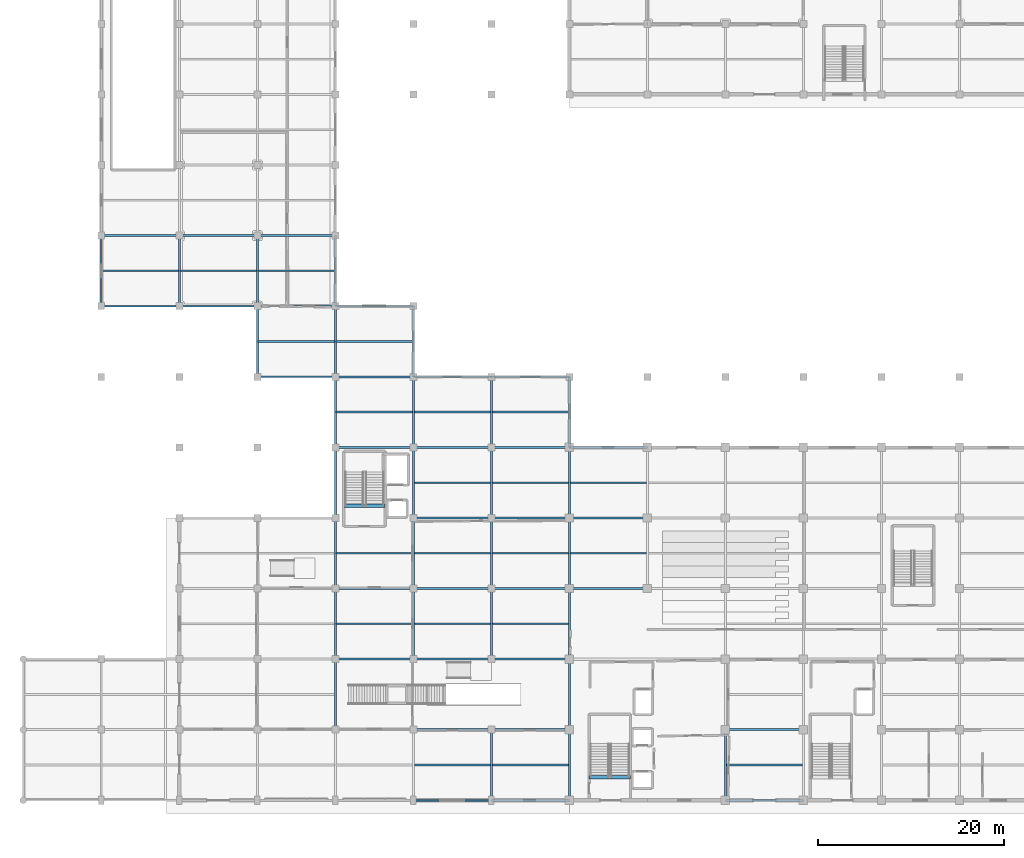
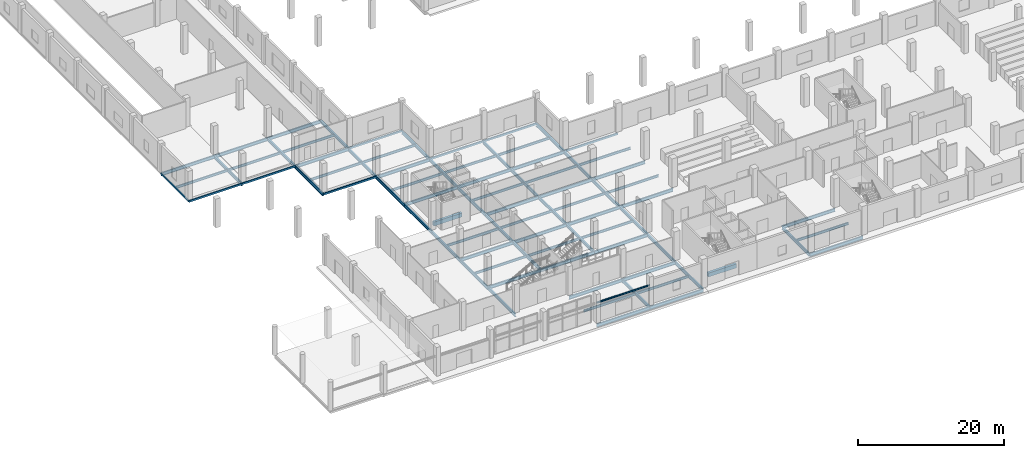
# One storey, part 6 of 36: 83 beams.
"""IFC4 building model written with IfcOpenShell, lengths in metres."""

from ifc_helpers import new_model, si_unit, direction, frame, origin, origin_2d, place, context, subcontext, project, spatial, rectangle, hollow_rectangle, i_section, extrude, material, material_profile, profile_set, type_object, element, save


model = new_model("IFC4")

# Units and contexts
model_context = context("Model", 3, precision=1e-05, world=origin(), true_north=direction((0.0, 1.0)))
body_context = subcontext(model_context, "Body", "Model", "MODEL_VIEW")
ifc_project = project(units=[si_unit("LENGTHUNIT", "METRE"), si_unit("AREAUNIT", "SQUARE_METRE"), si_unit("VOLUMEUNIT", "CUBIC_METRE"), si_unit("PLANEANGLEUNIT", "RADIAN"), si_unit("MASSUNIT", "GRAM", prefix="KILO")], contexts=[model_context])

# Site, building, storey
site_placement = place(None, origin())
site = spatial("IfcSite", under=ifc_project, at=site_placement, CompositionType="ELEMENT")
building_placement = place(site_placement, origin())
building = spatial("IfcBuilding", under=site, at=building_placement, Name="Zuvorla Pavilion Media Centre", CompositionType="ELEMENT")
storey_placement = place(building_placement, origin())
storey = spatial("IfcBuildingStorey", under=building, at=storey_placement, Name="L00", CompositionType="ELEMENT", Elevation=0.0)

# Beams
ifc_material_1 = material(Name="Concrete C40/50", Category="concrete")
ifc_material_profile_1 = material_profile(ifc_material_1, rectangle(XDim=0.39990234375, YDim=0.64990234375, at=origin_2d()), Name="RC 400x650")
ifc_profile_set_1 = profile_set([ifc_material_profile_1], Name="Concrete C40/50")
beam_type_1 = type_object("IfcBeamType", Name="BM-RC-650", PredefinedType="BEAM", material=ifc_profile_set_1)
beam_1_placement = place(storey_placement, frame((68.929931640625, 8.469970703125, -0.323974609375), z_axis=(1.0, 0.0, 0.0), x_axis=(0.0, 1.0, 0.0)))
element("IfcBeam", 1, at=beam_1_placement, inside=storey, type_object=beam_type_1, Name="L00 ST-01 landing trimmer beam", PredefinedType="BEAM", context=body_context, shape_type="SweptSolid", body=[
    extrude(rectangle(XDim=0.39990234375, YDim=0.64990234375, at=origin_2d()), origin(), (0.0, 0.0, 1.0), 4.440185546875),
])
beam_2_placement = place(storey_placement, frame((42.530029296875, 37.719970703125, -0.323974609375), z_axis=(1.0, 0.0, 0.0), x_axis=(0.0, 1.0, 0.0)))
element("IfcBeam", 2, at=beam_2_placement, inside=storey, type_object=beam_type_1, Name="L00 ST-03 landing trimmer beam", PredefinedType="BEAM", context=body_context, shape_type="SweptSolid", body=[
    extrude(rectangle(XDim=0.39990234375, YDim=0.64990234375, at=origin_2d()), origin(), (0.0, 0.0, 1.0), 4.43994140625),
])
ifc_material_2 = material(Name="Steel S355", Category="steel")
ifc_material_profile_2 = material_profile(ifc_material_2, hollow_rectangle(XDim=0.14990234375, YDim=0.25, WallThickness=0.010009765625, at=origin_2d()), Name="RHS 250x150x10")
ifc_profile_set_2 = profile_set([ifc_material_profile_2], Name="Steel S355")
beam_type_2 = type_object("IfcBeamType", Name="BM-SP-RHS250", PredefinedType="SPANDREL", material=ifc_profile_set_2)
beam_3_placement = place(storey_placement, frame((16.39990234375, 59.199951171875, -0.452880859375), z_axis=(0.0, 1.0, 0.0), x_axis=(-1.0, 0.0, 0.0)))
element("IfcBeam", 3, at=beam_3_placement, inside=storey, type_object=beam_type_2, Name="L00 spandrel SP02 163", PredefinedType="SPANDREL", context=body_context, shape_type="SweptSolid", body=[
    extrude(hollow_rectangle(XDim=0.14990234375, YDim=0.25, WallThickness=0.010009765625, at=origin_2d()), origin(), (0.0, 0.0, 1.0), 7.60009765625),
])
ifc_material_profile_3 = material_profile(ifc_material_2, hollow_rectangle(XDim=0.199951171875, YDim=0.300048828125, WallThickness=0.012451171875, at=origin_2d()), Name="RHS 300x200x12.5")
ifc_profile_set_3 = profile_set([ifc_material_profile_3], Name="Steel S355")
beam_type_3 = type_object("IfcBeamType", Name="BM-SP-RHS300", PredefinedType="SPANDREL", material=ifc_profile_set_3)
beam_4_placement = place(storey_placement, frame((66.800048828125, 44.0, -0.577880859375), z_axis=(1.0, 0.0, 0.0), x_axis=(0.0, 1.0, 0.0)))
element("IfcBeam", 4, at=beam_4_placement, inside=storey, type_object=beam_type_3, Name="L00 spandrel SP01 81", PredefinedType="SPANDREL", context=body_context, shape_type="SweptSolid", body=[
    extrude(hollow_rectangle(XDim=0.199951171875, YDim=0.300048828125, WallThickness=0.012451171875, at=origin_2d()), origin(), (0.0, 0.0, 1.0), 8.39990234375),
])
beam_5_placement = place(storey_placement, frame((33.199951171875, 51.60009765625, -0.577880859375), z_axis=(1.0, 0.0, 0.0), x_axis=(0.0, 1.0, 0.0)))
element("IfcBeam", 5, at=beam_5_placement, inside=storey, type_object=beam_type_3, Name="L00 spandrel SP01 92", PredefinedType="SPANDREL", context=body_context, shape_type="SweptSolid", body=[
    extrude(hollow_rectangle(XDim=0.199951171875, YDim=0.300048828125, WallThickness=0.012451171875, at=origin_2d()), origin(), (0.0, 0.0, 1.0), 8.400146484375),
])
beam_6_placement = place(storey_placement, frame((50.0, 51.60009765625, -0.577880859375), z_axis=(1.0, 0.0, 0.0), x_axis=(0.0, 1.0, 0.0)))
element("IfcBeam", 6, at=beam_6_placement, inside=storey, type_object=beam_type_3, Name="L00 spandrel SP01 94", PredefinedType="SPANDREL", context=body_context, shape_type="SweptSolid", body=[
    extrude(hollow_rectangle(XDim=0.199951171875, YDim=0.300048828125, WallThickness=0.012451171875, at=origin_2d()), origin(), (0.0, 0.0, 1.0), 8.39990234375),
])
for number, where, z_axis, x_axis, name in (
    (7, (58.39990234375, 51.60009765625, -0.577880859375), (1.0, 0.0, 0.0), (0.0, 1.0, 0.0), "L00 spandrel SP01 95"),
    (8, (16.39990234375, 59.199951171875, -0.47802734375), (1.0, 0.0, 0.0), (0.0, 1.0, 0.0), "L00 spandrel SP01 96"),
):
    element("IfcBeam", number, at=place(storey_placement, frame(where, z_axis=z_axis, x_axis=x_axis)), inside=storey, type_object=beam_type_3, Name=name, PredefinedType="SPANDREL", context=body_context, shape_type="SweptSolid", body=[
        extrude(hollow_rectangle(XDim=0.199951171875, YDim=0.300048828125, WallThickness=0.012451171875, at=origin_2d()), origin(), (0.0, 0.0, 1.0), 8.400146484375),
    ])
for number, where, z_axis, x_axis, name in (
    (9, (24.800048828125, 59.199951171875, -0.47802734375), (1.0, 0.0, 0.0), (0.0, 1.0, 0.0), "L00 spandrel SP01 97"),
    (10, (41.60009765625, 59.199951171875, -0.47802734375), (1.0, 0.0, 0.0), (0.0, 1.0, 0.0), "L00 spandrel SP01 99"),
):
    element("IfcBeam", number, at=place(storey_placement, frame(where, z_axis=z_axis, x_axis=x_axis)), inside=storey, type_object=beam_type_3, Name=name, PredefinedType="SPANDREL", context=body_context, shape_type="SweptSolid", body=[
        extrude(hollow_rectangle(XDim=0.199951171875, YDim=0.300048828125, WallThickness=0.012451171875, at=origin_2d()), origin(), (0.0, 0.0, 1.0), 8.39990234375),
    ])
ifc_material_profile_4 = material_profile(ifc_material_2, i_section(OverallWidth=0.146484375, OverallDepth=0.256103515625, WebThickness=0.00634765625, FlangeThickness=0.010986328125, FilletRadius=0.007568359375, at=origin_2d()), Name="UB 254x146x37")
ifc_profile_set_4 = profile_set([ifc_material_profile_4], Name="Steel S355")
beam_type_4 = type_object("IfcBeamType", Name="BM-UB254", PredefinedType="LINTEL", material=ifc_profile_set_4)
beam_7_placement = place(storey_placement, frame((50.0, 6.0, 3.10009765625), z_axis=(1.0, 0.0, 0.0), x_axis=(0.0, 1.0, 0.0)))
element("IfcBeam", 11, at=beam_7_placement, inside=storey, type_object=beam_type_4, Name="L00 lintel LN01 1756", PredefinedType="LINTEL", context=body_context, shape_type="SweptSolid", body=[
    extrude(i_section(OverallWidth=0.146484375, OverallDepth=0.256103515625, WebThickness=0.00634765625, FlangeThickness=0.010986328125, FilletRadius=0.007568359375, at=origin_2d()), origin(), (0.0, 0.0, 1.0), 8.39990234375),
])
ifc_material_profile_5 = material_profile(ifc_material_2, i_section(OverallWidth=0.1787109375, OverallDepth=0.409423828125, WebThickness=0.0087890625, FlangeThickness=0.014404296875, FilletRadius=0.01025390625, at=origin_2d()), Name="UB 406x178x67")
ifc_profile_set_5 = profile_set([ifc_material_profile_5], Name="Steel S355")
beam_type_5 = type_object("IfcBeamType", Name="BM-UB406", PredefinedType="JOIST", material=ifc_profile_set_5)
beam_8_placement = place(storey_placement, frame((16.47998046875, 63.0, -0.53271484375), z_axis=(1.0, 0.0, 0.0), x_axis=(0.0, 1.0, 0.0)))
element("IfcBeam", 12, at=beam_8_placement, inside=storey, type_object=beam_type_5, Name="L00 joist J02 321", PredefinedType="JOIST", context=body_context, shape_type="SweptSolid", body=[
    extrude(i_section(OverallWidth=0.1787109375, OverallDepth=0.409423828125, WebThickness=0.0087890625, FlangeThickness=0.014404296875, FilletRadius=0.01025390625, at=origin_2d()), origin(), (0.0, 0.0, 1.0), 8.219970703125),
])
beam_9_placement = place(storey_placement, frame((24.89990234375, 63.0, -0.53271484375), z_axis=(1.0, 0.0, 0.0), x_axis=(0.0, 1.0, 0.0)))
element("IfcBeam", 13, at=beam_9_placement, inside=storey, type_object=beam_type_5, Name="L00 joist J02 327", PredefinedType="JOIST", context=body_context, shape_type="SweptSolid", body=[
    extrude(i_section(OverallWidth=0.1787109375, OverallDepth=0.409423828125, WebThickness=0.0087890625, FlangeThickness=0.014404296875, FilletRadius=0.01025390625, at=origin_2d()), origin(), (0.0, 0.0, 1.0), 8.2001953125),
])
for number, where, z_axis, x_axis, name in (
    (14, (33.300048828125, 55.39990234375, -0.53271484375), (1.0, 0.0, 0.0), (0.0, 1.0, 0.0), "L00 joist J02 339"),
    (15, (33.300048828125, 63.0, -0.53271484375), (1.0, 0.0, 0.0), (0.0, 1.0, 0.0), "L00 joist J02 340"),
    (16, (41.699951171875, 25.0, -0.6328125), (1.0, 0.0, 0.0), (0.0, 1.0, 0.0), "L00 joist J02 349"),
    (17, (41.699951171875, 32.60009765625, -0.6328125), (1.0, 0.0, 0.0), (0.0, 1.0, 0.0), "L00 joist J02 350"),
    (18, (41.699951171875, 47.800048828125, -0.6328125), (1.0, 0.0, 0.0), (0.0, 1.0, 0.0), "L00 joist J02 351"),
    (19, (41.699951171875, 55.39990234375, -0.53271484375), (1.0, 0.0, 0.0), (0.0, 1.0, 0.0), "L00 joist J02 352"),
    (20, (50.10009765625, 9.800048828125, -0.6328125), (1.0, 0.0, 0.0), (0.0, 1.0, 0.0), "L00 joist J02 353"),
    (21, (50.10009765625, 25.0, -0.6328125), (1.0, 0.0, 0.0), (0.0, 1.0, 0.0), "L00 joist J02 354"),
    (22, (50.10009765625, 32.60009765625, -0.6328125), (1.0, 0.0, 0.0), (0.0, 1.0, 0.0), "L00 joist J02 355"),
    (23, (50.10009765625, 40.199951171875, -0.6328125), (1.0, 0.0, 0.0), (0.0, 1.0, 0.0), "L00 joist J02 356"),
    (24, (50.10009765625, 47.800048828125, -0.6328125), (1.0, 0.0, 0.0), (0.0, 1.0, 0.0), "L00 joist J02 357"),
    (25, (58.5, 9.800048828125, -0.6328125), (1.0, 0.0, 0.0), (0.0, 1.0, 0.0), "L00 joist J02 358"),
    (26, (58.5, 25.0, -0.6328125), (1.0, 0.0, 0.0), (0.0, 1.0, 0.0), "L00 joist J02 359"),
    (27, (58.5, 32.60009765625, -0.6328125), (1.0, 0.0, 0.0), (0.0, 1.0, 0.0), "L00 joist J02 360"),
    (28, (58.5, 40.199951171875, -0.6328125), (1.0, 0.0, 0.0), (0.0, 1.0, 0.0), "L00 joist J02 361"),
    (29, (58.5, 47.800048828125, -0.6328125), (1.0, 0.0, 0.0), (0.0, 1.0, 0.0), "L00 joist J02 362"),
):
    element("IfcBeam", number, at=place(storey_placement, frame(where, z_axis=z_axis, x_axis=x_axis)), inside=storey, type_object=beam_type_5, Name=name, PredefinedType="JOIST", context=body_context, shape_type="SweptSolid", body=[
        extrude(i_section(OverallWidth=0.1787109375, OverallDepth=0.409423828125, WebThickness=0.0087890625, FlangeThickness=0.014404296875, FilletRadius=0.01025390625, at=origin_2d()), origin(), (0.0, 0.0, 1.0), 8.199951171875),
    ])
for number, where, z_axis, x_axis, name in (
    (30, (66.89990234375, 32.60009765625, -0.6328125), (1.0, 0.0, 0.0), (0.0, 1.0, 0.0), "L00 joist J02 363"),
    (31, (66.89990234375, 40.199951171875, -0.6328125), (1.0, 0.0, 0.0), (0.0, 1.0, 0.0), "L00 joist J02 364"),
):
    element("IfcBeam", number, at=place(storey_placement, frame(where, z_axis=z_axis, x_axis=x_axis)), inside=storey, type_object=beam_type_5, Name=name, PredefinedType="JOIST", context=body_context, shape_type="SweptSolid", body=[
        extrude(i_section(OverallWidth=0.1787109375, OverallDepth=0.409423828125, WebThickness=0.0087890625, FlangeThickness=0.014404296875, FilletRadius=0.01025390625, at=origin_2d()), origin(), (0.0, 0.0, 1.0), 8.2001953125),
    ])
beam_10_placement = place(storey_placement, frame((83.699951171875, 9.800048828125, -0.6328125), z_axis=(1.0, 0.0, 0.0), x_axis=(0.0, 1.0, 0.0)))
element("IfcBeam", 32, at=beam_10_placement, inside=storey, type_object=beam_type_5, Name="L00 joist J02 374", PredefinedType="JOIST", context=body_context, shape_type="SweptSolid", body=[
    extrude(i_section(OverallWidth=0.1787109375, OverallDepth=0.409423828125, WebThickness=0.0087890625, FlangeThickness=0.014404296875, FilletRadius=0.01025390625, at=origin_2d()), origin(), (0.0, 0.0, 1.0), 8.199951171875),
])
ifc_material_profile_6 = material_profile(ifc_material_2, i_section(OverallWidth=0.2099609375, OverallDepth=0.53662109375, WebThickness=0.0107421875, FlangeThickness=0.017333984375, FilletRadius=0.0126953125, at=origin_2d()), Name="UB 533x210x101")
ifc_profile_set_6 = profile_set([ifc_material_profile_6], Name="Steel S355")
beam_type_6 = type_object("IfcBeamType", Name="BM-UB533", PredefinedType="BEAM", material=ifc_profile_set_6)
beam_11_placement = place(storey_placement, frame((50.0, 6.0, -0.6962890625), z_axis=(1.0, 0.0, 0.0), x_axis=(0.0, 1.0, 0.0)))
element("IfcBeam", 33, at=beam_11_placement, inside=storey, type_object=beam_type_6, Name="L00 beam B08 6", PredefinedType="BEAM", context=body_context, shape_type="SweptSolid", body=[
    extrude(i_section(OverallWidth=0.2099609375, OverallDepth=0.53662109375, WebThickness=0.0107421875, FlangeThickness=0.017333984375, FilletRadius=0.0126953125, at=origin_2d()), origin(), (0.0, 0.0, 1.0), 8.39990234375),
])
beam_12_placement = place(storey_placement, frame((58.39990234375, 6.0, -0.6962890625), z_axis=(1.0, 0.0, 0.0), x_axis=(0.0, 1.0, 0.0)))
element("IfcBeam", 34, at=beam_12_placement, inside=storey, type_object=beam_type_6, Name="L00 beam B08 7", PredefinedType="BEAM", context=body_context, shape_type="SweptSolid", body=[
    extrude(i_section(OverallWidth=0.2099609375, OverallDepth=0.53662109375, WebThickness=0.0107421875, FlangeThickness=0.017333984375, FilletRadius=0.0126953125, at=origin_2d()), origin(), (0.0, 0.0, 1.0), 8.400146484375),
])
for number, where, z_axis, x_axis, name in (
    (35, (83.60009765625, 6.0, -0.6962890625), (1.0, 0.0, 0.0), (0.0, 1.0, 0.0), "L00 beam B08 8"),
    (36, (50.0, 13.60009765625, -0.6962890625), (1.0, 0.0, 0.0), (0.0, 1.0, 0.0), "L00 beam B08 23"),
):
    element("IfcBeam", number, at=place(storey_placement, frame(where, z_axis=z_axis, x_axis=x_axis)), inside=storey, type_object=beam_type_6, Name=name, PredefinedType="BEAM", context=body_context, shape_type="SweptSolid", body=[
        extrude(i_section(OverallWidth=0.2099609375, OverallDepth=0.53662109375, WebThickness=0.0107421875, FlangeThickness=0.017333984375, FilletRadius=0.0126953125, at=origin_2d()), origin(), (0.0, 0.0, 1.0), 8.39990234375),
    ])
beam_13_placement = place(storey_placement, frame((58.39990234375, 13.60009765625, -0.6962890625), z_axis=(1.0, 0.0, 0.0), x_axis=(0.0, 1.0, 0.0)))
element("IfcBeam", 37, at=beam_13_placement, inside=storey, type_object=beam_type_6, Name="L00 beam B08 24", PredefinedType="BEAM", context=body_context, shape_type="SweptSolid", body=[
    extrude(i_section(OverallWidth=0.2099609375, OverallDepth=0.53662109375, WebThickness=0.0107421875, FlangeThickness=0.017333984375, FilletRadius=0.0126953125, at=origin_2d()), origin(), (0.0, 0.0, 1.0), 8.400146484375),
])
for number, where, z_axis, x_axis, name in (
    (38, (83.60009765625, 13.60009765625, -0.6962890625), (1.0, 0.0, 0.0), (0.0, 1.0, 0.0), "L00 beam B08 25"),
    (39, (41.60009765625, 21.199951171875, -0.6962890625), (1.0, 0.0, 0.0), (0.0, 1.0, 0.0), "L00 beam B08 39"),
    (40, (50.0, 21.199951171875, -0.6962890625), (1.0, 0.0, 0.0), (0.0, 1.0, 0.0), "L00 beam B08 40"),
):
    element("IfcBeam", number, at=place(storey_placement, frame(where, z_axis=z_axis, x_axis=x_axis)), inside=storey, type_object=beam_type_6, Name=name, PredefinedType="BEAM", context=body_context, shape_type="SweptSolid", body=[
        extrude(i_section(OverallWidth=0.2099609375, OverallDepth=0.53662109375, WebThickness=0.0107421875, FlangeThickness=0.017333984375, FilletRadius=0.0126953125, at=origin_2d()), origin(), (0.0, 0.0, 1.0), 8.39990234375),
    ])
beam_14_placement = place(storey_placement, frame((58.39990234375, 21.199951171875, -0.6962890625), z_axis=(1.0, 0.0, 0.0), x_axis=(0.0, 1.0, 0.0)))
element("IfcBeam", 41, at=beam_14_placement, inside=storey, type_object=beam_type_6, Name="L00 beam B08 41", PredefinedType="BEAM", context=body_context, shape_type="SweptSolid", body=[
    extrude(i_section(OverallWidth=0.2099609375, OverallDepth=0.53662109375, WebThickness=0.0107421875, FlangeThickness=0.017333984375, FilletRadius=0.0126953125, at=origin_2d()), origin(), (0.0, 0.0, 1.0), 8.400146484375),
])
for number, where, z_axis, x_axis, name in (
    (42, (41.60009765625, 28.800048828125, -0.6962890625), (1.0, 0.0, 0.0), (0.0, 1.0, 0.0), "L00 beam B08 53"),
    (43, (50.0, 28.800048828125, -0.6962890625), (1.0, 0.0, 0.0), (0.0, 1.0, 0.0), "L00 beam B08 54"),
):
    element("IfcBeam", number, at=place(storey_placement, frame(where, z_axis=z_axis, x_axis=x_axis)), inside=storey, type_object=beam_type_6, Name=name, PredefinedType="BEAM", context=body_context, shape_type="SweptSolid", body=[
        extrude(i_section(OverallWidth=0.2099609375, OverallDepth=0.53662109375, WebThickness=0.0107421875, FlangeThickness=0.017333984375, FilletRadius=0.0126953125, at=origin_2d()), origin(), (0.0, 0.0, 1.0), 8.39990234375),
    ])
beam_15_placement = place(storey_placement, frame((58.39990234375, 28.800048828125, -0.6962890625), z_axis=(1.0, 0.0, 0.0), x_axis=(0.0, 1.0, 0.0)))
element("IfcBeam", 44, at=beam_15_placement, inside=storey, type_object=beam_type_6, Name="L00 beam B08 55", PredefinedType="BEAM", context=body_context, shape_type="SweptSolid", body=[
    extrude(i_section(OverallWidth=0.2099609375, OverallDepth=0.53662109375, WebThickness=0.0107421875, FlangeThickness=0.017333984375, FilletRadius=0.0126953125, at=origin_2d()), origin(), (0.0, 0.0, 1.0), 8.400146484375),
])
for number, where, z_axis, x_axis, name in (
    (45, (66.800048828125, 28.800048828125, -0.6962890625), (1.0, 0.0, 0.0), (0.0, 1.0, 0.0), "L00 beam B08 56"),
    (46, (50.0, 36.39990234375, -0.6962890625), (1.0, 0.0, 0.0), (0.0, 1.0, 0.0), "L00 beam B08 65"),
):
    element("IfcBeam", number, at=place(storey_placement, frame(where, z_axis=z_axis, x_axis=x_axis)), inside=storey, type_object=beam_type_6, Name=name, PredefinedType="BEAM", context=body_context, shape_type="SweptSolid", body=[
        extrude(i_section(OverallWidth=0.2099609375, OverallDepth=0.53662109375, WebThickness=0.0107421875, FlangeThickness=0.017333984375, FilletRadius=0.0126953125, at=origin_2d()), origin(), (0.0, 0.0, 1.0), 8.39990234375),
    ])
beam_16_placement = place(storey_placement, frame((58.39990234375, 36.39990234375, -0.6962890625), z_axis=(1.0, 0.0, 0.0), x_axis=(0.0, 1.0, 0.0)))
element("IfcBeam", 47, at=beam_16_placement, inside=storey, type_object=beam_type_6, Name="L00 beam B08 66", PredefinedType="BEAM", context=body_context, shape_type="SweptSolid", body=[
    extrude(i_section(OverallWidth=0.2099609375, OverallDepth=0.53662109375, WebThickness=0.0107421875, FlangeThickness=0.017333984375, FilletRadius=0.0126953125, at=origin_2d()), origin(), (0.0, 0.0, 1.0), 8.400146484375),
])
for number, where, z_axis, x_axis, name in (
    (48, (66.800048828125, 36.39990234375, -0.6962890625), (1.0, 0.0, 0.0), (0.0, 1.0, 0.0), "L00 beam B08 67"),
    (49, (41.60009765625, 44.0, -0.6962890625), (1.0, 0.0, 0.0), (0.0, 1.0, 0.0), "L00 beam B08 78"),
    (50, (50.0, 44.0, -0.6962890625), (1.0, 0.0, 0.0), (0.0, 1.0, 0.0), "L00 beam B08 79"),
):
    element("IfcBeam", number, at=place(storey_placement, frame(where, z_axis=z_axis, x_axis=x_axis)), inside=storey, type_object=beam_type_6, Name=name, PredefinedType="BEAM", context=body_context, shape_type="SweptSolid", body=[
        extrude(i_section(OverallWidth=0.2099609375, OverallDepth=0.53662109375, WebThickness=0.0107421875, FlangeThickness=0.017333984375, FilletRadius=0.0126953125, at=origin_2d()), origin(), (0.0, 0.0, 1.0), 8.39990234375),
    ])
beam_17_placement = place(storey_placement, frame((58.39990234375, 44.0, -0.6962890625), z_axis=(1.0, 0.0, 0.0), x_axis=(0.0, 1.0, 0.0)))
element("IfcBeam", 51, at=beam_17_placement, inside=storey, type_object=beam_type_6, Name="L00 beam B08 80", PredefinedType="BEAM", context=body_context, shape_type="SweptSolid", body=[
    extrude(i_section(OverallWidth=0.2099609375, OverallDepth=0.53662109375, WebThickness=0.0107421875, FlangeThickness=0.017333984375, FilletRadius=0.0126953125, at=origin_2d()), origin(), (0.0, 0.0, 1.0), 8.400146484375),
])
beam_18_placement = place(storey_placement, frame((41.60009765625, 51.60009765625, -0.6962890625), z_axis=(1.0, 0.0, 0.0), x_axis=(0.0, 1.0, 0.0)))
element("IfcBeam", 52, at=beam_18_placement, inside=storey, type_object=beam_type_6, Name="L00 beam B08 93", PredefinedType="BEAM", context=body_context, shape_type="SweptSolid", body=[
    extrude(i_section(OverallWidth=0.2099609375, OverallDepth=0.53662109375, WebThickness=0.0107421875, FlangeThickness=0.017333984375, FilletRadius=0.0126953125, at=origin_2d()), origin(), (0.0, 0.0, 1.0), 8.39990234375),
])
for number, where, z_axis, x_axis, name in (
    (53, (33.199951171875, 59.199951171875, -0.59619140625), (1.0, 0.0, 0.0), (0.0, 1.0, 0.0), "L00 beam B08 98"),
    (54, (16.39990234375, 66.800048828125, -0.59619140625), (1.0, 0.0, 0.0), (0.0, 1.0, 0.0), "L00 beam B08 100"),
):
    element("IfcBeam", number, at=place(storey_placement, frame(where, z_axis=z_axis, x_axis=x_axis)), inside=storey, type_object=beam_type_6, Name=name, PredefinedType="BEAM", context=body_context, shape_type="SweptSolid", body=[
        extrude(i_section(OverallWidth=0.2099609375, OverallDepth=0.53662109375, WebThickness=0.0107421875, FlangeThickness=0.017333984375, FilletRadius=0.0126953125, at=origin_2d()), origin(), (0.0, 0.0, 1.0), 8.400146484375),
    ])
beam_19_placement = place(storey_placement, frame((24.800048828125, 66.800048828125, -0.59619140625), z_axis=(1.0, 0.0, 0.0), x_axis=(0.0, 1.0, 0.0)))
element("IfcBeam", 55, at=beam_19_placement, inside=storey, type_object=beam_type_6, Name="L00 beam B08 101", PredefinedType="BEAM", context=body_context, shape_type="SweptSolid", body=[
    extrude(i_section(OverallWidth=0.2099609375, OverallDepth=0.53662109375, WebThickness=0.0107421875, FlangeThickness=0.017333984375, FilletRadius=0.0126953125, at=origin_2d()), origin(), (0.0, 0.0, 1.0), 8.39990234375),
])
beam_20_placement = place(storey_placement, frame((33.199951171875, 66.800048828125, -0.59619140625), z_axis=(1.0, 0.0, 0.0), x_axis=(0.0, 1.0, 0.0)))
element("IfcBeam", 56, at=beam_20_placement, inside=storey, type_object=beam_type_6, Name="L00 beam B08 102", PredefinedType="BEAM", context=body_context, shape_type="SweptSolid", body=[
    extrude(i_section(OverallWidth=0.2099609375, OverallDepth=0.53662109375, WebThickness=0.0107421875, FlangeThickness=0.017333984375, FilletRadius=0.0126953125, at=origin_2d()), origin(), (0.0, 0.0, 1.0), 8.400146484375),
])
beam_21_placement = place(storey_placement, frame((24.800048828125, 59.199951171875, -0.59619140625), z_axis=(0.0, 1.0, 0.0), x_axis=(-1.0, 0.0, 0.0)))
element("IfcBeam", 57, at=beam_21_placement, inside=storey, type_object=beam_type_6, Name="L00 beam B08 175", PredefinedType="BEAM", context=body_context, shape_type="SweptSolid", body=[
    extrude(i_section(OverallWidth=0.2099609375, OverallDepth=0.53662109375, WebThickness=0.0107421875, FlangeThickness=0.017333984375, FilletRadius=0.0126953125, at=origin_2d()), origin(), (0.0, 0.0, 1.0), 7.60009765625),
])
beam_22_placement = place(storey_placement, frame((33.199951171875, 51.60009765625, -0.59619140625), z_axis=(0.0, 1.0, 0.0), x_axis=(-1.0, 0.0, 0.0)))
element("IfcBeam", 58, at=beam_22_placement, inside=storey, type_object=beam_type_6, Name="L00 beam B08 187", PredefinedType="BEAM", context=body_context, shape_type="SweptSolid", body=[
    extrude(i_section(OverallWidth=0.2099609375, OverallDepth=0.53662109375, WebThickness=0.0107421875, FlangeThickness=0.017333984375, FilletRadius=0.0126953125, at=origin_2d()), origin(), (0.0, 0.0, 1.0), 7.599853515625),
])
beam_23_placement = place(storey_placement, frame((33.199951171875, 59.199951171875, -0.59619140625), z_axis=(0.0, 1.0, 0.0), x_axis=(-1.0, 0.0, 0.0)))
element("IfcBeam", 59, at=beam_23_placement, inside=storey, type_object=beam_type_6, Name="L00 beam B08 188", PredefinedType="BEAM", context=body_context, shape_type="SweptSolid", body=[
    extrude(i_section(OverallWidth=0.2099609375, OverallDepth=0.53662109375, WebThickness=0.0107421875, FlangeThickness=0.017333984375, FilletRadius=0.0126953125, at=origin_2d()), origin(), (0.0, 0.0, 1.0), 7.60009765625),
])
beam_24_placement = place(storey_placement, frame((41.60009765625, 13.60009765625, -0.6962890625), z_axis=(0.0, 1.0, 0.0), x_axis=(-1.0, 0.0, 0.0)))
element("IfcBeam", 60, at=beam_24_placement, inside=storey, type_object=beam_type_6, Name="L00 beam B08 197", PredefinedType="BEAM", context=body_context, shape_type="SweptSolid", body=[
    extrude(i_section(OverallWidth=0.2099609375, OverallDepth=0.53662109375, WebThickness=0.0107421875, FlangeThickness=0.017333984375, FilletRadius=0.0126953125, at=origin_2d()), origin(), (0.0, 0.0, 1.0), 7.599853515625),
])
beam_25_placement = place(storey_placement, frame((41.60009765625, 21.199951171875, -0.6962890625), z_axis=(0.0, 1.0, 0.0), x_axis=(-1.0, 0.0, 0.0)))
element("IfcBeam", 61, at=beam_25_placement, inside=storey, type_object=beam_type_6, Name="L00 beam B08 198", PredefinedType="BEAM", context=body_context, shape_type="SweptSolid", body=[
    extrude(i_section(OverallWidth=0.2099609375, OverallDepth=0.53662109375, WebThickness=0.0107421875, FlangeThickness=0.017333984375, FilletRadius=0.0126953125, at=origin_2d()), origin(), (0.0, 0.0, 1.0), 7.60009765625),
])
beam_26_placement = place(storey_placement, frame((41.60009765625, 28.800048828125, -0.6962890625), z_axis=(0.0, 1.0, 0.0), x_axis=(-1.0, 0.0, 0.0)))
element("IfcBeam", 62, at=beam_26_placement, inside=storey, type_object=beam_type_6, Name="L00 beam B08 199", PredefinedType="BEAM", context=body_context, shape_type="SweptSolid", body=[
    extrude(i_section(OverallWidth=0.2099609375, OverallDepth=0.53662109375, WebThickness=0.0107421875, FlangeThickness=0.017333984375, FilletRadius=0.0126953125, at=origin_2d()), origin(), (0.0, 0.0, 1.0), 7.599853515625),
])
for number, where, z_axis, x_axis, name in (
    (63, (41.60009765625, 36.39990234375, -0.6962890625), (0.0, 1.0, 0.0), (-1.0, 0.0, 0.0), "L00 beam B08 200"),
    (64, (41.60009765625, 44.0, -0.6962890625), (0.0, 1.0, 0.0), (-1.0, 0.0, 0.0), "L00 beam B08 201"),
):
    element("IfcBeam", number, at=place(storey_placement, frame(where, z_axis=z_axis, x_axis=x_axis)), inside=storey, type_object=beam_type_6, Name=name, PredefinedType="BEAM", context=body_context, shape_type="SweptSolid", body=[
        extrude(i_section(OverallWidth=0.2099609375, OverallDepth=0.53662109375, WebThickness=0.0107421875, FlangeThickness=0.017333984375, FilletRadius=0.0126953125, at=origin_2d()), origin(), (0.0, 0.0, 1.0), 7.60009765625),
    ])
beam_27_placement = place(storey_placement, frame((41.60009765625, 51.60009765625, -0.6962890625), z_axis=(0.0, 1.0, 0.0), x_axis=(-1.0, 0.0, 0.0)))
element("IfcBeam", 65, at=beam_27_placement, inside=storey, type_object=beam_type_6, Name="L00 beam B08 202", PredefinedType="BEAM", context=body_context, shape_type="SweptSolid", body=[
    extrude(i_section(OverallWidth=0.2099609375, OverallDepth=0.53662109375, WebThickness=0.0107421875, FlangeThickness=0.017333984375, FilletRadius=0.0126953125, at=origin_2d()), origin(), (0.0, 0.0, 1.0), 7.599853515625),
])
for number, where, z_axis, x_axis, name in (
    (66, (41.60009765625, 59.199951171875, -0.59619140625), (0.0, 1.0, 0.0), (-1.0, 0.0, 0.0), "L00 beam B08 203"),
    (67, (50.0, 21.199951171875, -0.6962890625), (0.0, 1.0, 0.0), (-1.0, 0.0, 0.0), "L00 beam B08 212"),
):
    element("IfcBeam", number, at=place(storey_placement, frame(where, z_axis=z_axis, x_axis=x_axis)), inside=storey, type_object=beam_type_6, Name=name, PredefinedType="BEAM", context=body_context, shape_type="SweptSolid", body=[
        extrude(i_section(OverallWidth=0.2099609375, OverallDepth=0.53662109375, WebThickness=0.0107421875, FlangeThickness=0.017333984375, FilletRadius=0.0126953125, at=origin_2d()), origin(), (0.0, 0.0, 1.0), 7.60009765625),
    ])
beam_28_placement = place(storey_placement, frame((50.0, 28.800048828125, -0.6962890625), z_axis=(0.0, 1.0, 0.0), x_axis=(-1.0, 0.0, 0.0)))
element("IfcBeam", 68, at=beam_28_placement, inside=storey, type_object=beam_type_6, Name="L00 beam B08 213", PredefinedType="BEAM", context=body_context, shape_type="SweptSolid", body=[
    extrude(i_section(OverallWidth=0.2099609375, OverallDepth=0.53662109375, WebThickness=0.0107421875, FlangeThickness=0.017333984375, FilletRadius=0.0126953125, at=origin_2d()), origin(), (0.0, 0.0, 1.0), 7.599853515625),
])
for number, where, z_axis, x_axis, name in (
    (69, (50.0, 36.39990234375, -0.6962890625), (0.0, 1.0, 0.0), (-1.0, 0.0, 0.0), "L00 beam B08 214"),
    (70, (50.0, 44.0, -0.6962890625), (0.0, 1.0, 0.0), (-1.0, 0.0, 0.0), "L00 beam B08 215"),
):
    element("IfcBeam", number, at=place(storey_placement, frame(where, z_axis=z_axis, x_axis=x_axis)), inside=storey, type_object=beam_type_6, Name=name, PredefinedType="BEAM", context=body_context, shape_type="SweptSolid", body=[
        extrude(i_section(OverallWidth=0.2099609375, OverallDepth=0.53662109375, WebThickness=0.0107421875, FlangeThickness=0.017333984375, FilletRadius=0.0126953125, at=origin_2d()), origin(), (0.0, 0.0, 1.0), 7.60009765625),
    ])
beam_29_placement = place(storey_placement, frame((50.0, 51.60009765625, -0.6962890625), z_axis=(0.0, 1.0, 0.0), x_axis=(-1.0, 0.0, 0.0)))
element("IfcBeam", 71, at=beam_29_placement, inside=storey, type_object=beam_type_6, Name="L00 beam B08 216", PredefinedType="BEAM", context=body_context, shape_type="SweptSolid", body=[
    extrude(i_section(OverallWidth=0.2099609375, OverallDepth=0.53662109375, WebThickness=0.0107421875, FlangeThickness=0.017333984375, FilletRadius=0.0126953125, at=origin_2d()), origin(), (0.0, 0.0, 1.0), 7.599853515625),
])
for number, where, z_axis, x_axis, name in (
    (72, (58.39990234375, 6.0, -0.6962890625), (0.0, 1.0, 0.0), (-1.0, 0.0, 0.0), "L00 beam B08 217"),
    (73, (58.39990234375, 21.199951171875, -0.6962890625), (0.0, 1.0, 0.0), (-1.0, 0.0, 0.0), "L00 beam B08 218"),
):
    element("IfcBeam", number, at=place(storey_placement, frame(where, z_axis=z_axis, x_axis=x_axis)), inside=storey, type_object=beam_type_6, Name=name, PredefinedType="BEAM", context=body_context, shape_type="SweptSolid", body=[
        extrude(i_section(OverallWidth=0.2099609375, OverallDepth=0.53662109375, WebThickness=0.0107421875, FlangeThickness=0.017333984375, FilletRadius=0.0126953125, at=origin_2d()), origin(), (0.0, 0.0, 1.0), 7.60009765625),
    ])
beam_30_placement = place(storey_placement, frame((58.39990234375, 28.800048828125, -0.6962890625), z_axis=(0.0, 1.0, 0.0), x_axis=(-1.0, 0.0, 0.0)))
element("IfcBeam", 74, at=beam_30_placement, inside=storey, type_object=beam_type_6, Name="L00 beam B08 219", PredefinedType="BEAM", context=body_context, shape_type="SweptSolid", body=[
    extrude(i_section(OverallWidth=0.2099609375, OverallDepth=0.53662109375, WebThickness=0.0107421875, FlangeThickness=0.017333984375, FilletRadius=0.0126953125, at=origin_2d()), origin(), (0.0, 0.0, 1.0), 7.599853515625),
])
for number, where, z_axis, x_axis, name in (
    (75, (58.39990234375, 36.39990234375, -0.6962890625), (0.0, 1.0, 0.0), (-1.0, 0.0, 0.0), "L00 beam B08 220"),
    (76, (58.39990234375, 44.0, -0.6962890625), (0.0, 1.0, 0.0), (-1.0, 0.0, 0.0), "L00 beam B08 221"),
    (77, (66.800048828125, 6.0, -0.6962890625), (0.0, 1.0, 0.0), (-1.0, 0.0, 0.0), "L00 beam B08 222"),
):
    element("IfcBeam", number, at=place(storey_placement, frame(where, z_axis=z_axis, x_axis=x_axis)), inside=storey, type_object=beam_type_6, Name=name, PredefinedType="BEAM", context=body_context, shape_type="SweptSolid", body=[
        extrude(i_section(OverallWidth=0.2099609375, OverallDepth=0.53662109375, WebThickness=0.0107421875, FlangeThickness=0.017333984375, FilletRadius=0.0126953125, at=origin_2d()), origin(), (0.0, 0.0, 1.0), 7.60009765625),
    ])
beam_31_placement = place(storey_placement, frame((66.800048828125, 13.60009765625, -0.6962890625), z_axis=(0.0, 1.0, 0.0), x_axis=(-1.0, 0.0, 0.0)))
element("IfcBeam", 78, at=beam_31_placement, inside=storey, type_object=beam_type_6, Name="L00 beam B08 223", PredefinedType="BEAM", context=body_context, shape_type="SweptSolid", body=[
    extrude(i_section(OverallWidth=0.2099609375, OverallDepth=0.53662109375, WebThickness=0.0107421875, FlangeThickness=0.017333984375, FilletRadius=0.0126953125, at=origin_2d()), origin(), (0.0, 0.0, 1.0), 7.599853515625),
])
beam_32_placement = place(storey_placement, frame((66.800048828125, 21.199951171875, -0.6962890625), z_axis=(0.0, 1.0, 0.0), x_axis=(-1.0, 0.0, 0.0)))
element("IfcBeam", 79, at=beam_32_placement, inside=storey, type_object=beam_type_6, Name="L00 beam B08 224", PredefinedType="BEAM", context=body_context, shape_type="SweptSolid", body=[
    extrude(i_section(OverallWidth=0.2099609375, OverallDepth=0.53662109375, WebThickness=0.0107421875, FlangeThickness=0.017333984375, FilletRadius=0.0126953125, at=origin_2d()), origin(), (0.0, 0.0, 1.0), 7.60009765625),
])
beam_33_placement = place(storey_placement, frame((66.800048828125, 28.800048828125, -0.6962890625), z_axis=(0.0, 1.0, 0.0), x_axis=(-1.0, 0.0, 0.0)))
element("IfcBeam", 80, at=beam_33_placement, inside=storey, type_object=beam_type_6, Name="L00 beam B08 225", PredefinedType="BEAM", context=body_context, shape_type="SweptSolid", body=[
    extrude(i_section(OverallWidth=0.2099609375, OverallDepth=0.53662109375, WebThickness=0.0107421875, FlangeThickness=0.017333984375, FilletRadius=0.0126953125, at=origin_2d()), origin(), (0.0, 0.0, 1.0), 7.599853515625),
])
for number, where, z_axis, x_axis, name in (
    (81, (66.800048828125, 36.39990234375, -0.6962890625), (0.0, 1.0, 0.0), (-1.0, 0.0, 0.0), "L00 beam B08 226"),
    (82, (66.800048828125, 44.0, -0.6962890625), (0.0, 1.0, 0.0), (-1.0, 0.0, 0.0), "L00 beam B08 227"),
    (83, (83.60009765625, 6.0, -0.6962890625), (0.0, 1.0, 0.0), (-1.0, 0.0, 0.0), "L00 beam B08 240"),
):
    element("IfcBeam", number, at=place(storey_placement, frame(where, z_axis=z_axis, x_axis=x_axis)), inside=storey, type_object=beam_type_6, Name=name, PredefinedType="BEAM", context=body_context, shape_type="SweptSolid", body=[
        extrude(i_section(OverallWidth=0.2099609375, OverallDepth=0.53662109375, WebThickness=0.0107421875, FlangeThickness=0.017333984375, FilletRadius=0.0126953125, at=origin_2d()), origin(), (0.0, 0.0, 1.0), 7.60009765625),
    ])

save(model, "model.ifc")
